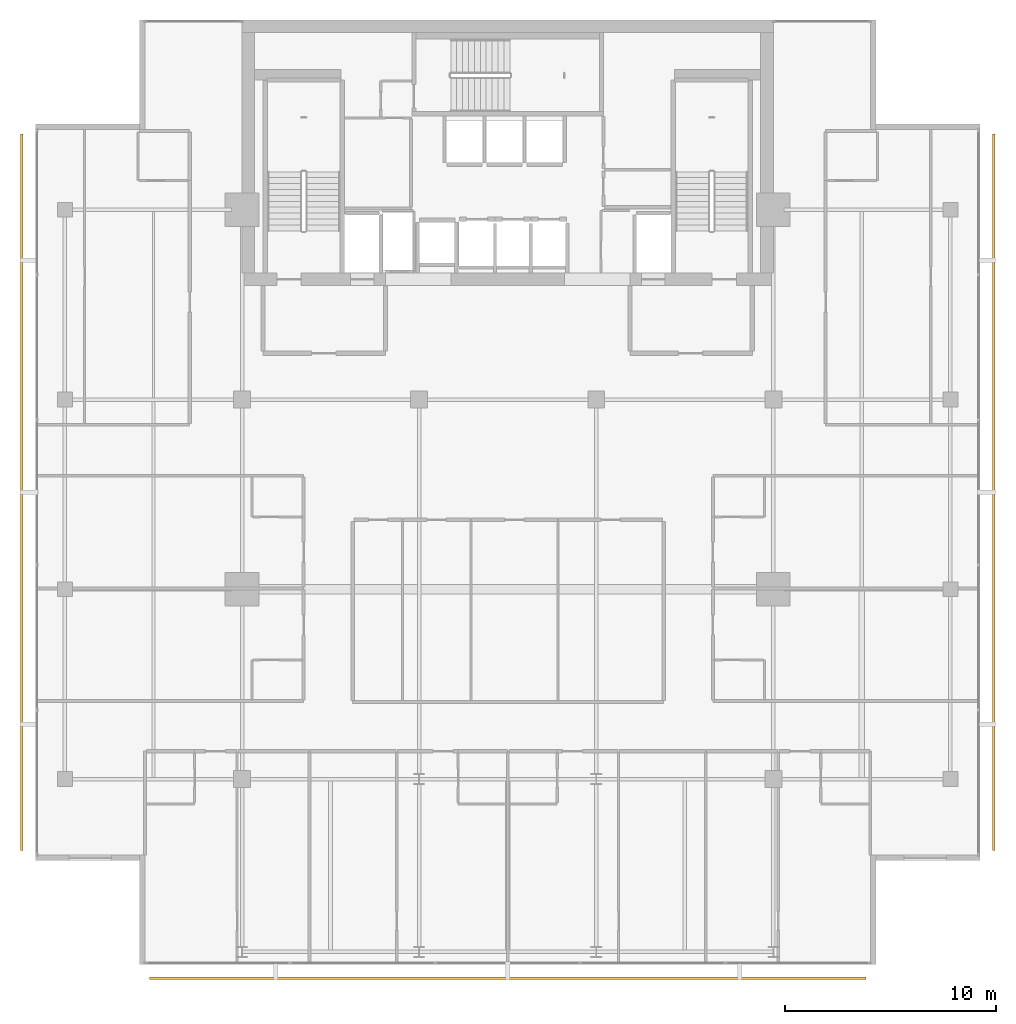
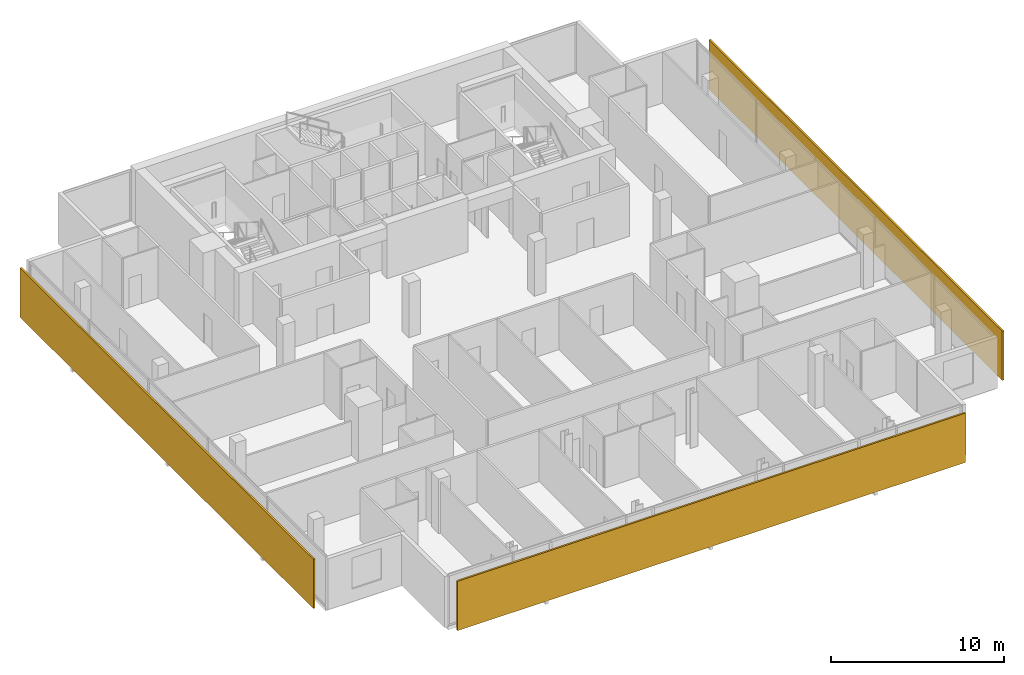
# One storey, part 24 of 25: 3 shading devices.
"""IFC4 building model written with IfcOpenShell, lengths in metres."""

from ifc_helpers import new_model, si_unit, direction, frame, origin, origin_2d, place, context, subcontext, project, spatial, rectangle, extrude, material, layer, layer_set, type_object, element, save


model = new_model("IFC4")

# Units and contexts
model_context = context("Model", 3, precision=1e-05, world=origin(), true_north=direction((0.0, 1.0)))
body_context = subcontext(model_context, "Body", "Model", "MODEL_VIEW")
ifc_project = project(units=[si_unit("LENGTHUNIT", "METRE"), si_unit("AREAUNIT", "SQUARE_METRE"), si_unit("VOLUMEUNIT", "CUBIC_METRE"), si_unit("PLANEANGLEUNIT", "RADIAN"), si_unit("MASSUNIT", "GRAM", prefix="KILO")], contexts=[model_context])

# Site, building, storey
site_placement = place(None, origin())
site = spatial("IfcSite", under=ifc_project, at=site_placement, CompositionType="ELEMENT")
building_placement = place(site_placement, origin())
building = spatial("IfcBuilding", under=site, at=building_placement, Name="Maruvema Waterfront Hotel and Observation Tower", CompositionType="ELEMENT")
storey_placement = place(building_placement, frame((0.0, 0.0, 308.699951171875)))
storey = spatial("IfcBuildingStorey", under=building, at=storey_placement, Name="L76", CompositionType="ELEMENT", Elevation=308.699951171875)

# Shading devices
ifc_material = material(Name="Honed travertine stone and anodised architectural bronze", Category="masonry")
ifc_layer = layer(ifc_material, 0.1201171875, Name="Ventilated Outer Skin Cobogo Stone-and-Bronze Screen 120 mm")
ifc_layer_set = layer_set([ifc_layer], Name="Honed travertine stone and anodised architectural bronze")
shading_device_type = type_object("IfcShadingDeviceType", Name="Ventilated Outer Skin Cobogo Stone-and-Bronze Screen 120 mm", PredefinedType="USERDEFINED", material=ifc_layer_set)
for number, where, z_axis, x_axis, name in (
    (1, (37.800048828125, 8.550048828125, 0.06005859375), (0.0, 0.0, 1.0), (1.0, 0.0, 0.0), "L76 Ventilated Double-Skin Outer Cobogo Screen OS-L76-S"),
    (2, (60.85009765625, 31.60009765625, 0.06005859375), (0.0, 0.0, 1.0), (0.0, 1.0, 0.0), "L76 Ventilated Double-Skin Outer Cobogo Screen OS-L76-E"),
    (3, (14.75, 31.60009765625, 0.06005859375), (0.0, 0.0, 1.0), (0.0, -1.0, 0.0), "L76 Ventilated Double-Skin Outer Cobogo Screen OS-L76-W"),
):
    element("IfcShadingDevice", number, at=place(storey_placement, frame(where, z_axis=z_axis, x_axis=x_axis)), inside=storey, type_object=shading_device_type, Name=name, ObjectType="OUTER SKIN SCREEN", PredefinedType="USERDEFINED", context=body_context, shape_type="SweptSolid", body=[
        extrude(rectangle(XDim=34.0, YDim=0.1201171875, at=origin_2d()), origin(), (0.0, 0.0, 1.0), 3.489990234375),
    ])

save(model, "model.ifc")
